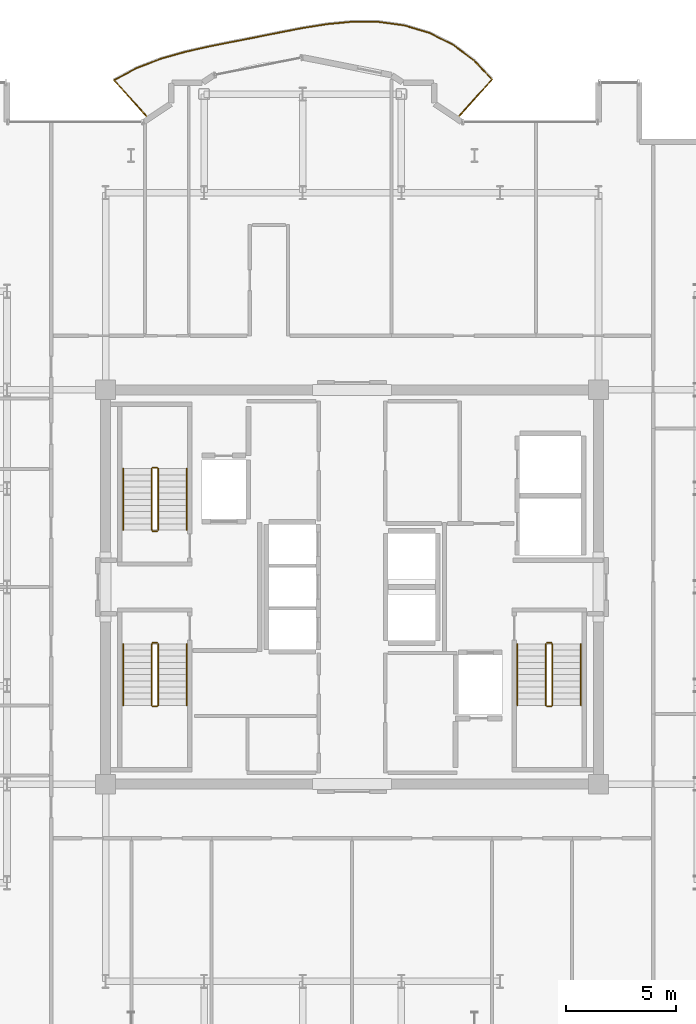
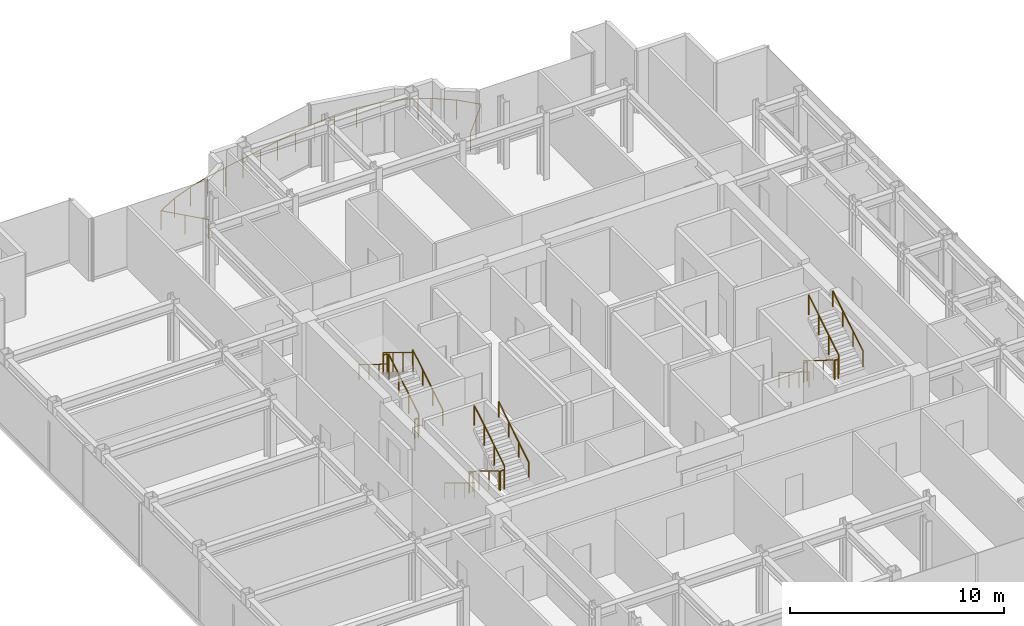
# One storey, part 18 of 18: 19 railings.
"""IFC4 building model written with IfcOpenShell, lengths in metres."""

from ifc_helpers import new_model, si_unit, direction, frame, origin, origin_2d, place, context, subcontext, project, spatial, circle, extrude, material, type_object, element, save


model = new_model("IFC4")

# Units and contexts
model_context = context("Model", 3, precision=1e-05, world=origin(), true_north=direction((0.0, 1.0)))
body_context = subcontext(model_context, "Body", "Model", "MODEL_VIEW")
ifc_project = project(units=[si_unit("LENGTHUNIT", "METRE"), si_unit("AREAUNIT", "SQUARE_METRE"), si_unit("VOLUMEUNIT", "CUBIC_METRE"), si_unit("PLANEANGLEUNIT", "RADIAN"), si_unit("MASSUNIT", "GRAM", prefix="KILO")], contexts=[model_context])

# Site, building, storey
site_placement = place(None, origin())
site = spatial("IfcSite", under=ifc_project, at=site_placement, CompositionType="ELEMENT")
building_placement = place(site_placement, origin())
building = spatial("IfcBuilding", under=site, at=building_placement, Name="Nefas-Gora Pilgrimage Tower", CompositionType="ELEMENT")
storey_placement = place(building_placement, frame((0.0, 0.0, 302.60009765625)))
storey = spatial("IfcBuildingStorey", under=building, at=storey_placement, Name="L76", CompositionType="ELEMENT", Elevation=302.60009765625)

# Railings
ifc_material_1 = material(Name="Laminated safety glass and stainless steel", Category="steel")
railing_type_1 = type_object("IfcRailingType", Name="RLG-BAL-1100", PredefinedType="BALUSTRADE", material=ifc_material_1)
railing_1_placement = place(storey_placement, frame((4.802490234375, 21.402587890625, 0.0)))
element("IfcRailing", 1, at=railing_1_placement, inside=storey, type_object=railing_type_1, Name="L76 Wave Balcony Balustrade N1", PredefinedType="BALUSTRADE", context=body_context, shape_type="SweptSolid", body=[
    extrude(circle(Radius=0.02392578125, at=origin_2d()), frame((0.0, 0.0, 1.09619140625), z_axis=(0.669135077133, 0.74314079995, 0.0), x_axis=(-0.74314079995, 0.669135077133, 0.0)), (0.0, 0.0, 1.0), 2.375244140625),
    extrude(circle(Radius=0.02392578125, at=origin_2d()), frame((1.58935546875, 1.76513671875, 1.09619140625), z_axis=(-0.68750179514, 0.726182677898, 0.0), x_axis=(-0.726182677898, -0.68750179514, 0.0)), (0.0, 0.0, 1.0), 1.19921875),
    extrude(circle(Radius=0.02392578125, at=origin_2d()), frame((0.764892578125, 2.635986328125, 1.09619140625), z_axis=(-0.801437477804, 0.59807856438, 0.0), x_axis=(-0.59807856438, -0.801437477804, 0.0)), (0.0, 0.0, 1.0), 1.200439453125),
    extrude(circle(Radius=0.02392578125, at=origin_2d()), frame((-0.197265625, 3.35400390625, 1.09619140625), z_axis=(-0.89467105907, 0.44672552654, 0.0), x_axis=(-0.44672552654, -0.89467105907, 0.0)), (0.0, 0.0, 1.0), 1.20068359375),
    extrude(circle(Radius=0.02392578125, at=origin_2d()), frame((-1.271484375, 3.890380859375, 1.09619140625), z_axis=(-0.958038938913, 0.286638084571, 0.0), x_axis=(-0.286638084571, -0.958038938913, 0.0)), (0.0, 0.0, 1.0), 1.19921875),
    extrude(circle(Radius=0.02392578125, at=origin_2d()), frame((-2.42041015625, 4.234130859375, 1.09619140625), z_axis=(-0.990887292095, 0.134693631496, 0.0), x_axis=(-0.134693631496, -0.990887292095, 0.0)), (0.0, 0.0, 1.0), 1.194580078125),
    extrude(circle(Radius=0.02392578125, at=origin_2d()), frame((-3.60400390625, 4.39501953125, 1.09619140625), z_axis=(-0.999987695818, 0.004960666536, 0.0), x_axis=(-0.004960666536, -0.999987695818, 0.0)), (0.0, 0.0, 1.0), 1.18115234375),
    extrude(circle(Radius=0.02392578125, at=origin_2d()), frame((-4.78515625, 4.40087890625, 1.09619140625), z_axis=(-0.995572807418, -0.093993537703, 0.0), x_axis=(0.093993537703, -0.995572807418, 0.0)), (0.0, 0.0, 1.0), 1.158447265625),
    extrude(circle(Radius=0.02392578125, at=origin_2d()), frame((-5.9384765625, 4.2919921875, 1.09619140625), z_axis=(-0.98740955461, -0.15818461197, 0.0), x_axis=(0.15818461197, -0.98740955461, 0.0)), (0.0, 0.0, 1.0), 1.128173828125),
    extrude(circle(Radius=0.02392578125, at=origin_2d()), frame((-7.052490234375, 4.113525390625, 1.09619140625), z_axis=(-0.981742387209, -0.190215365199, 0.0), x_axis=(0.190215365199, -0.981742387209, 0.0)), (0.0, 0.0, 1.0), 1.0986328125),
    extrude(circle(Radius=0.02392578125, at=origin_2d()), frame((-8.131103515625, 3.904541015625, 1.09619140625), z_axis=(-0.980414901531, -0.196943191949, 0.0), x_axis=(0.196943191949, -0.980414901531, 0.0)), (0.0, 0.0, 1.0), 1.07861328125),
    extrude(circle(Radius=0.02392578125, at=origin_2d()), frame((-9.1884765625, 3.692138671875, 1.09619140625), z_axis=(-0.981315429712, -0.192405892346, 0.0), x_axis=(0.192405892346, -0.981315429712, 0.0)), (0.0, 0.0, 1.0), 1.075927734375),
    extrude(circle(Radius=0.02392578125, at=origin_2d()), frame((-10.244384765625, 3.485107421875, 1.09619140625), z_axis=(-0.980846406589, -0.194782767929, 0.0), x_axis=(0.194782767929, -0.980846406589, 0.0)), (0.0, 0.0, 1.0), 1.091796875),
    extrude(circle(Radius=0.02392578125, at=origin_2d()), frame((-11.315185546875, 3.2724609375, 1.09619140625), z_axis=(-0.975857703496, -0.218407285884, 0.0), x_axis=(0.218407285884, -0.975857703496, 0.0)), (0.0, 0.0, 1.0), 1.1201171875),
    extrude(circle(Radius=0.02392578125, at=origin_2d()), frame((-12.408203125, 3.02783203125, 1.09619140625), z_axis=(-0.962066425729, -0.272815308377, 0.0), x_axis=(0.272815308377, -0.962066425729, 0.0)), (0.0, 0.0, 1.0), 1.15087890625),
    extrude(circle(Radius=0.02392578125, at=origin_2d()), frame((-13.515380859375, 2.7138671875, 1.09619140625), z_axis=(-0.933666294474, -0.358144175665, 0.0), x_axis=(0.358144175665, -0.933666294474, 0.0)), (0.0, 0.0, 1.0), 1.17578125),
    extrude(circle(Radius=0.02392578125, at=origin_2d()), frame((-14.61328125, 2.292724609375, 1.09619140625), z_axis=(-0.883049407943, -0.469280026351, 0.0), x_axis=(0.469280026351, -0.883049407943, 0.0)), (0.0, 0.0, 1.0), 1.19189453125),
    extrude(circle(Radius=0.02392578125, at=origin_2d()), frame((-15.665771484375, 1.7333984375, 1.09619140625), z_axis=(0.669138195153, -0.743137992427, 0.0), x_axis=(0.743137992427, 0.669138195153, 0.0)), (0.0, 0.0, 1.0), 2.33251953125),
    extrude(circle(Radius=0.02099609375, at=origin_2d()), origin(), (0.0, 0.0, 1.0), 1.072021484375),
    extrude(circle(Radius=0.02099609375, at=origin_2d()), frame((0.794677734375, 0.882568359375, 0.0)), (0.0, 0.0, 1.0), 1.072021484375),
    extrude(circle(Radius=0.02099609375, at=origin_2d()), frame((1.58935546875, 1.76513671875, 0.0)), (0.0, 0.0, 1.0), 1.072021484375),
    extrude(circle(Radius=0.02099609375, at=origin_2d()), frame((0.764892578125, 2.635986328125, 0.0)), (0.0, 0.0, 1.0), 1.072021484375),
    extrude(circle(Radius=0.02099609375, at=origin_2d()), frame((0.28369140625, 2.9951171875, 0.0)), (0.0, 0.0, 1.0), 1.072021484375),
    extrude(circle(Radius=0.02099609375, at=origin_2d()), frame((-0.197265625, 3.35400390625, 0.0)), (0.0, 0.0, 1.0), 1.072021484375),
    extrude(circle(Radius=0.02099609375, at=origin_2d()), frame((-0.734375, 3.6220703125, 0.0)), (0.0, 0.0, 1.0), 1.072021484375),
    extrude(circle(Radius=0.02099609375, at=origin_2d()), frame((-1.271484375, 3.890380859375, 0.0)), (0.0, 0.0, 1.0), 1.072021484375),
    extrude(circle(Radius=0.02099609375, at=origin_2d()), frame((-2.42041015625, 4.234130859375, 0.0)), (0.0, 0.0, 1.0), 1.072021484375),
    extrude(circle(Radius=0.02099609375, at=origin_2d()), frame((-3.60400390625, 4.39501953125, 0.0)), (0.0, 0.0, 1.0), 1.072021484375),
    extrude(circle(Radius=0.02099609375, at=origin_2d()), frame((-4.78515625, 4.40087890625, 0.0)), (0.0, 0.0, 1.0), 1.072021484375),
    extrude(circle(Radius=0.02099609375, at=origin_2d()), frame((-5.9384765625, 4.2919921875, 0.0)), (0.0, 0.0, 1.0), 1.072021484375),
    extrude(circle(Radius=0.02099609375, at=origin_2d()), frame((-7.052490234375, 4.113525390625, 0.0)), (0.0, 0.0, 1.0), 1.072021484375),
    extrude(circle(Radius=0.02099609375, at=origin_2d()), frame((-8.131103515625, 3.904541015625, 0.0)), (0.0, 0.0, 1.0), 1.072021484375),
    extrude(circle(Radius=0.02099609375, at=origin_2d()), frame((-9.1884765625, 3.692138671875, 0.0)), (0.0, 0.0, 1.0), 1.072021484375),
    extrude(circle(Radius=0.02099609375, at=origin_2d()), frame((-10.244384765625, 3.485107421875, 0.0)), (0.0, 0.0, 1.0), 1.072021484375),
    extrude(circle(Radius=0.02099609375, at=origin_2d()), frame((-11.315185546875, 3.2724609375, 0.0)), (0.0, 0.0, 1.0), 1.072021484375),
    extrude(circle(Radius=0.02099609375, at=origin_2d()), frame((-12.408203125, 3.02783203125, 0.0)), (0.0, 0.0, 1.0), 1.072021484375),
    extrude(circle(Radius=0.02099609375, at=origin_2d()), frame((-13.515380859375, 2.7138671875, 0.0)), (0.0, 0.0, 1.0), 1.072021484375),
    extrude(circle(Radius=0.02099609375, at=origin_2d()), frame((-14.61328125, 2.292724609375, 0.0)), (0.0, 0.0, 1.0), 1.072021484375),
    extrude(circle(Radius=0.02099609375, at=origin_2d()), frame((-15.665771484375, 1.7333984375, 0.0)), (0.0, 0.0, 1.0), 1.072021484375),
    extrude(circle(Radius=0.02099609375, at=origin_2d()), frame((-14.88525390625, 0.86669921875, 0.0)), (0.0, 0.0, 1.0), 1.072021484375),
    extrude(circle(Radius=0.02099609375, at=origin_2d()), frame((-14.10498046875, 0.0, 0.0)), (0.0, 0.0, 1.0), 1.072021484375),
])
ifc_material_2 = material(Name="Painted galvanised steel", Category="steel")
railing_type_2 = type_object("IfcRailingType", Name="RLG-STR-GUARD-1100", PredefinedType="GUARDRAIL", material=ifc_material_2)
railing_2_placement = place(storey_placement, frame((-8.85009765625, 2.60009765625, 0.172607421875)))
element("IfcRailing", 2, at=railing_2_placement, inside=storey, type_object=railing_type_2, Name="L76 ST-01 stair guard 1", PredefinedType="GUARDRAIL", context=body_context, shape_type="SweptSolid", body=[
    extrude(circle(Radius=0.02392578125, at=origin_2d()), frame((0.0, 0.0, 1.09619140625), z_axis=(0.0, 0.851069175582, 0.525053576669), x_axis=(-1.0, 0.0, 0.0)), (0.0, 0.0, 1.0), 3.289794921875),
    extrude(circle(Radius=0.02099609375, at=origin_2d()), origin(), (0.0, 0.0, 1.0), 1.072021484375),
    extrude(circle(Radius=0.02099609375, at=origin_2d()), frame((0.0, 0.933349609375, 0.57568359375)), (0.0, 0.0, 1.0), 1.072021484375),
    extrude(circle(Radius=0.02099609375, at=origin_2d()), frame((0.0, 1.866455078125, 1.151611328125)), (0.0, 0.0, 1.0), 1.072021484375),
    extrude(circle(Radius=0.02099609375, at=origin_2d()), frame((0.0, 2.7998046875, 1.727294921875)), (0.0, 0.0, 1.0), 1.072021484375),
])
railing_3_placement = place(storey_placement, frame((-8.89990234375, 5.449951171875, 1.89990234375)))
element("IfcRailing", 3, at=railing_3_placement, inside=storey, type_object=railing_type_2, Name="L76 ST-01 stair guard 2", PredefinedType="GUARDRAIL", context=body_context, shape_type="SweptSolid", body=[
    extrude(circle(Radius=0.02392578125, at=origin_2d()), frame((0.0, 0.0, 1.09619140625), z_axis=(-1.0, 0.0, 0.0), x_axis=(0.0, -1.0, 0.0)), (0.0, 0.0, 1.0), 0.2001953125),
    extrude(circle(Radius=0.02099609375, at=origin_2d()), origin(), (0.0, 0.0, 1.0), 1.072021484375),
    extrude(circle(Radius=0.02099609375, at=origin_2d()), frame((-0.2001953125, 0.0, 0.0)), (0.0, 0.0, 1.0), 1.072021484375),
])
railing_4_placement = place(storey_placement, frame((-9.14990234375, 5.39990234375, 2.072509765625)))
element("IfcRailing", 4, at=railing_4_placement, inside=storey, type_object=railing_type_2, Name="L76 ST-01 stair guard 3", PredefinedType="GUARDRAIL", context=body_context, shape_type="SweptSolid", body=[
    extrude(circle(Radius=0.02392578125, at=origin_2d()), frame((0.0, 0.0, 1.09619140625), z_axis=(0.0, -0.851069175582, 0.525053576669), x_axis=(1.0, 0.0, 0.0)), (0.0, 0.0, 1.0), 3.289794921875),
    extrude(circle(Radius=0.02099609375, at=origin_2d()), origin(), (0.0, 0.0, 1.0), 1.072021484375),
    extrude(circle(Radius=0.02099609375, at=origin_2d()), frame((0.0, -0.933349609375, 0.57568359375)), (0.0, 0.0, 1.0), 1.072021484375),
    extrude(circle(Radius=0.02099609375, at=origin_2d()), frame((0.0, -1.866455078125, 1.151611328125)), (0.0, 0.0, 1.0), 1.072021484375),
    extrude(circle(Radius=0.02099609375, at=origin_2d()), frame((0.0, -2.7998046875, 1.727294921875)), (0.0, 0.0, 1.0), 1.072021484375),
])
railing_5_placement = place(storey_placement, frame((-8.89990234375, 2.550048828125, 0.0)))
element("IfcRailing", 5, at=railing_5_placement, inside=storey, type_object=railing_type_2, Name="L76 ST-01 stair guard 4", PredefinedType="GUARDRAIL", context=body_context, shape_type="SweptSolid", body=[
    extrude(circle(Radius=0.02392578125, at=origin_2d()), frame((0.0, 0.0, 1.09619140625), z_axis=(-1.0, 0.0, 0.0), x_axis=(0.0, -1.0, 0.0)), (0.0, 0.0, 1.0), 0.2001953125),
    extrude(circle(Radius=0.02099609375, at=origin_2d()), origin(), (0.0, 0.0, 1.0), 1.072021484375),
    extrude(circle(Radius=0.02099609375, at=origin_2d()), frame((-0.2001953125, 0.0, 0.0)), (0.0, 0.0, 1.0), 1.072021484375),
])
railing_6_placement = place(storey_placement, frame((8.85009765625, -2.60009765625, 0.172607421875)))
element("IfcRailing", 6, at=railing_6_placement, inside=storey, type_object=railing_type_2, Name="L76 ST-02 stair guard 1", PredefinedType="GUARDRAIL", context=body_context, shape_type="SweptSolid", body=[
    extrude(circle(Radius=0.02392578125, at=origin_2d()), frame((0.0, 0.0, 1.09619140625), z_axis=(0.0, -0.851069175582, 0.525053576669), x_axis=(1.0, 0.0, 0.0)), (0.0, 0.0, 1.0), 3.289794921875),
    extrude(circle(Radius=0.02099609375, at=origin_2d()), origin(), (0.0, 0.0, 1.0), 1.072021484375),
    extrude(circle(Radius=0.02099609375, at=origin_2d()), frame((0.0, -0.933349609375, 0.57568359375)), (0.0, 0.0, 1.0), 1.072021484375),
    extrude(circle(Radius=0.02099609375, at=origin_2d()), frame((0.0, -1.866455078125, 1.151611328125)), (0.0, 0.0, 1.0), 1.072021484375),
    extrude(circle(Radius=0.02099609375, at=origin_2d()), frame((0.0, -2.7998046875, 1.727294921875)), (0.0, 0.0, 1.0), 1.072021484375),
])
railing_7_placement = place(storey_placement, frame((8.89990234375, -5.449951171875, 1.89990234375)))
element("IfcRailing", 7, at=railing_7_placement, inside=storey, type_object=railing_type_2, Name="L76 ST-02 stair guard 2", PredefinedType="GUARDRAIL", context=body_context, shape_type="SweptSolid", body=[
    extrude(circle(Radius=0.02392578125, at=origin_2d()), frame((0.0, 0.0, 1.09619140625), z_axis=(1.0, 0.0, 0.0), x_axis=(0.0, 1.0, 0.0)), (0.0, 0.0, 1.0), 0.2001953125),
    extrude(circle(Radius=0.02099609375, at=origin_2d()), origin(), (0.0, 0.0, 1.0), 1.072021484375),
    extrude(circle(Radius=0.02099609375, at=origin_2d()), frame((0.2001953125, 0.0, 0.0)), (0.0, 0.0, 1.0), 1.072021484375),
])
railing_8_placement = place(storey_placement, frame((9.14990234375, -5.39990234375, 2.072509765625)))
element("IfcRailing", 8, at=railing_8_placement, inside=storey, type_object=railing_type_2, Name="L76 ST-02 stair guard 3", PredefinedType="GUARDRAIL", context=body_context, shape_type="SweptSolid", body=[
    extrude(circle(Radius=0.02392578125, at=origin_2d()), frame((0.0, 0.0, 1.09619140625), z_axis=(0.0, 0.851069175582, 0.525053576669), x_axis=(-1.0, 0.0, 0.0)), (0.0, 0.0, 1.0), 3.289794921875),
    extrude(circle(Radius=0.02099609375, at=origin_2d()), origin(), (0.0, 0.0, 1.0), 1.072021484375),
    extrude(circle(Radius=0.02099609375, at=origin_2d()), frame((0.0, 0.933349609375, 0.57568359375)), (0.0, 0.0, 1.0), 1.072021484375),
    extrude(circle(Radius=0.02099609375, at=origin_2d()), frame((0.0, 1.866455078125, 1.151611328125)), (0.0, 0.0, 1.0), 1.072021484375),
    extrude(circle(Radius=0.02099609375, at=origin_2d()), frame((0.0, 2.7998046875, 1.727294921875)), (0.0, 0.0, 1.0), 1.072021484375),
])
railing_9_placement = place(storey_placement, frame((8.89990234375, -2.550048828125, 0.0)))
element("IfcRailing", 9, at=railing_9_placement, inside=storey, type_object=railing_type_2, Name="L76 ST-02 stair guard 4", PredefinedType="GUARDRAIL", context=body_context, shape_type="SweptSolid", body=[
    extrude(circle(Radius=0.02392578125, at=origin_2d()), frame((0.0, 0.0, 1.09619140625), z_axis=(1.0, 0.0, 0.0), x_axis=(0.0, 1.0, 0.0)), (0.0, 0.0, 1.0), 0.2001953125),
    extrude(circle(Radius=0.02099609375, at=origin_2d()), origin(), (0.0, 0.0, 1.0), 1.072021484375),
    extrude(circle(Radius=0.02099609375, at=origin_2d()), frame((0.2001953125, 0.0, 0.0)), (0.0, 0.0, 1.0), 1.072021484375),
])
railing_10_placement = place(storey_placement, frame((-9.14990234375, -2.60009765625, 0.172607421875)))
element("IfcRailing", 10, at=railing_10_placement, inside=storey, type_object=railing_type_2, Name="L76 ST-03 stair guard 1", PredefinedType="GUARDRAIL", context=body_context, shape_type="SweptSolid", body=[
    extrude(circle(Radius=0.02392578125, at=origin_2d()), frame((0.0, 0.0, 1.09619140625), z_axis=(0.0, -0.851069175582, 0.525053576669), x_axis=(1.0, 0.0, 0.0)), (0.0, 0.0, 1.0), 3.289794921875),
    extrude(circle(Radius=0.02099609375, at=origin_2d()), origin(), (0.0, 0.0, 1.0), 1.072021484375),
    extrude(circle(Radius=0.02099609375, at=origin_2d()), frame((0.0, -0.933349609375, 0.57568359375)), (0.0, 0.0, 1.0), 1.072021484375),
    extrude(circle(Radius=0.02099609375, at=origin_2d()), frame((0.0, -1.866455078125, 1.151611328125)), (0.0, 0.0, 1.0), 1.072021484375),
    extrude(circle(Radius=0.02099609375, at=origin_2d()), frame((0.0, -2.7998046875, 1.727294921875)), (0.0, 0.0, 1.0), 1.072021484375),
])
railing_11_placement = place(storey_placement, frame((-9.10009765625, -5.449951171875, 1.89990234375)))
element("IfcRailing", 11, at=railing_11_placement, inside=storey, type_object=railing_type_2, Name="L76 ST-03 stair guard 2", PredefinedType="GUARDRAIL", context=body_context, shape_type="SweptSolid", body=[
    extrude(circle(Radius=0.02392578125, at=origin_2d()), frame((0.0, 0.0, 1.09619140625), z_axis=(1.0, 0.0, 0.0), x_axis=(0.0, 1.0, 0.0)), (0.0, 0.0, 1.0), 0.2001953125),
    extrude(circle(Radius=0.02099609375, at=origin_2d()), origin(), (0.0, 0.0, 1.0), 1.072021484375),
    extrude(circle(Radius=0.02099609375, at=origin_2d()), frame((0.2001953125, 0.0, 0.0)), (0.0, 0.0, 1.0), 1.072021484375),
])
railing_12_placement = place(storey_placement, frame((-8.85009765625, -5.39990234375, 2.072509765625)))
element("IfcRailing", 12, at=railing_12_placement, inside=storey, type_object=railing_type_2, Name="L76 ST-03 stair guard 3", PredefinedType="GUARDRAIL", context=body_context, shape_type="SweptSolid", body=[
    extrude(circle(Radius=0.02392578125, at=origin_2d()), frame((0.0, 0.0, 1.09619140625), z_axis=(0.0, 0.851069175582, 0.525053576669), x_axis=(-1.0, 0.0, 0.0)), (0.0, 0.0, 1.0), 3.289794921875),
    extrude(circle(Radius=0.02099609375, at=origin_2d()), origin(), (0.0, 0.0, 1.0), 1.072021484375),
    extrude(circle(Radius=0.02099609375, at=origin_2d()), frame((0.0, 0.933349609375, 0.57568359375)), (0.0, 0.0, 1.0), 1.072021484375),
    extrude(circle(Radius=0.02099609375, at=origin_2d()), frame((0.0, 1.866455078125, 1.151611328125)), (0.0, 0.0, 1.0), 1.072021484375),
    extrude(circle(Radius=0.02099609375, at=origin_2d()), frame((0.0, 2.7998046875, 1.727294921875)), (0.0, 0.0, 1.0), 1.072021484375),
])
railing_13_placement = place(storey_placement, frame((-9.10009765625, -2.550048828125, 0.0)))
element("IfcRailing", 13, at=railing_13_placement, inside=storey, type_object=railing_type_2, Name="L76 ST-03 stair guard 4", PredefinedType="GUARDRAIL", context=body_context, shape_type="SweptSolid", body=[
    extrude(circle(Radius=0.02392578125, at=origin_2d()), frame((0.0, 0.0, 1.09619140625), z_axis=(1.0, 0.0, 0.0), x_axis=(0.0, 1.0, 0.0)), (0.0, 0.0, 1.0), 0.2001953125),
    extrude(circle(Radius=0.02099609375, at=origin_2d()), origin(), (0.0, 0.0, 1.0), 1.072021484375),
    extrude(circle(Radius=0.02099609375, at=origin_2d()), frame((0.2001953125, 0.0, 0.0)), (0.0, 0.0, 1.0), 1.072021484375),
])
ifc_material_3 = material(Name="Brushed stainless steel", Category="steel")
railing_type_3 = type_object("IfcRailingType", Name="RLG-STR-HAND-900", PredefinedType="HANDRAIL", material=ifc_material_3)
railing_14_placement = place(storey_placement, frame((-7.550048828125, 2.60009765625, 0.172607421875)))
element("IfcRailing", 14, at=railing_14_placement, inside=storey, type_object=railing_type_3, Name="L76 ST-01 stair handrail 1", PredefinedType="HANDRAIL", context=body_context, shape_type="SweptSolid", body=[
    extrude(circle(Radius=0.02392578125, at=origin_2d()), frame((0.0, 0.0, 0.8759765625), z_axis=(0.0, 0.851069175582, 0.525053576669), x_axis=(-1.0, 0.0, 0.0)), (0.0, 0.0, 1.0), 3.289794921875),
    extrude(circle(Radius=0.02099609375, at=origin_2d()), origin(), (0.0, 0.0, 1.0), 0.851806640625),
    extrude(circle(Radius=0.02099609375, at=origin_2d()), frame((0.0, 0.933349609375, 0.57568359375)), (0.0, 0.0, 1.0), 0.851806640625),
    extrude(circle(Radius=0.02099609375, at=origin_2d()), frame((0.0, 1.866455078125, 1.151611328125)), (0.0, 0.0, 1.0), 0.851806640625),
    extrude(circle(Radius=0.02099609375, at=origin_2d()), frame((0.0, 2.7998046875, 1.727294921875)), (0.0, 0.0, 1.0), 0.851806640625),
])
for number, where, name in (
    (15, (-10.449951171875, 5.39990234375, 2.072509765625), "L76 ST-01 stair handrail 2"),
    (16, (7.550048828125, -2.60009765625, 0.172607421875), "L76 ST-02 stair handrail 1"),
):
    element("IfcRailing", number, at=place(storey_placement, frame(where)), inside=storey, type_object=railing_type_3, Name=name, PredefinedType="HANDRAIL", context=body_context, shape_type="SweptSolid", body=[
        extrude(circle(Radius=0.02392578125, at=origin_2d()), frame((0.0, 0.0, 0.8759765625), z_axis=(0.0, -0.851069175582, 0.525053576669), x_axis=(1.0, 0.0, 0.0)), (0.0, 0.0, 1.0), 3.289794921875),
        extrude(circle(Radius=0.02099609375, at=origin_2d()), origin(), (0.0, 0.0, 1.0), 0.851806640625),
        extrude(circle(Radius=0.02099609375, at=origin_2d()), frame((0.0, -0.933349609375, 0.57568359375)), (0.0, 0.0, 1.0), 0.851806640625),
        extrude(circle(Radius=0.02099609375, at=origin_2d()), frame((0.0, -1.866455078125, 1.151611328125)), (0.0, 0.0, 1.0), 0.851806640625),
        extrude(circle(Radius=0.02099609375, at=origin_2d()), frame((0.0, -2.7998046875, 1.727294921875)), (0.0, 0.0, 1.0), 0.851806640625),
    ])
railing_15_placement = place(storey_placement, frame((10.449951171875, -5.39990234375, 2.072509765625)))
element("IfcRailing", 17, at=railing_15_placement, inside=storey, type_object=railing_type_3, Name="L76 ST-02 stair handrail 2", PredefinedType="HANDRAIL", context=body_context, shape_type="SweptSolid", body=[
    extrude(circle(Radius=0.02392578125, at=origin_2d()), frame((0.0, 0.0, 0.8759765625), z_axis=(0.0, 0.851069175582, 0.525053576669), x_axis=(-1.0, 0.0, 0.0)), (0.0, 0.0, 1.0), 3.289794921875),
    extrude(circle(Radius=0.02099609375, at=origin_2d()), origin(), (0.0, 0.0, 1.0), 0.851806640625),
    extrude(circle(Radius=0.02099609375, at=origin_2d()), frame((0.0, 0.933349609375, 0.57568359375)), (0.0, 0.0, 1.0), 0.851806640625),
    extrude(circle(Radius=0.02099609375, at=origin_2d()), frame((0.0, 1.866455078125, 1.151611328125)), (0.0, 0.0, 1.0), 0.851806640625),
    extrude(circle(Radius=0.02099609375, at=origin_2d()), frame((0.0, 2.7998046875, 1.727294921875)), (0.0, 0.0, 1.0), 0.851806640625),
])
railing_16_placement = place(storey_placement, frame((-10.449951171875, -2.60009765625, 0.172607421875)))
element("IfcRailing", 18, at=railing_16_placement, inside=storey, type_object=railing_type_3, Name="L76 ST-03 stair handrail 1", PredefinedType="HANDRAIL", context=body_context, shape_type="SweptSolid", body=[
    extrude(circle(Radius=0.02392578125, at=origin_2d()), frame((0.0, 0.0, 0.8759765625), z_axis=(0.0, -0.851069175582, 0.525053576669), x_axis=(1.0, 0.0, 0.0)), (0.0, 0.0, 1.0), 3.289794921875),
    extrude(circle(Radius=0.02099609375, at=origin_2d()), origin(), (0.0, 0.0, 1.0), 0.851806640625),
    extrude(circle(Radius=0.02099609375, at=origin_2d()), frame((0.0, -0.933349609375, 0.57568359375)), (0.0, 0.0, 1.0), 0.851806640625),
    extrude(circle(Radius=0.02099609375, at=origin_2d()), frame((0.0, -1.866455078125, 1.151611328125)), (0.0, 0.0, 1.0), 0.851806640625),
    extrude(circle(Radius=0.02099609375, at=origin_2d()), frame((0.0, -2.7998046875, 1.727294921875)), (0.0, 0.0, 1.0), 0.851806640625),
])
railing_17_placement = place(storey_placement, frame((-7.550048828125, -5.39990234375, 2.072509765625)))
element("IfcRailing", 19, at=railing_17_placement, inside=storey, type_object=railing_type_3, Name="L76 ST-03 stair handrail 2", PredefinedType="HANDRAIL", context=body_context, shape_type="SweptSolid", body=[
    extrude(circle(Radius=0.02392578125, at=origin_2d()), frame((0.0, 0.0, 0.8759765625), z_axis=(0.0, 0.851069175582, 0.525053576669), x_axis=(-1.0, 0.0, 0.0)), (0.0, 0.0, 1.0), 3.289794921875),
    extrude(circle(Radius=0.02099609375, at=origin_2d()), origin(), (0.0, 0.0, 1.0), 0.851806640625),
    extrude(circle(Radius=0.02099609375, at=origin_2d()), frame((0.0, 0.933349609375, 0.57568359375)), (0.0, 0.0, 1.0), 0.851806640625),
    extrude(circle(Radius=0.02099609375, at=origin_2d()), frame((0.0, 1.866455078125, 1.151611328125)), (0.0, 0.0, 1.0), 0.851806640625),
    extrude(circle(Radius=0.02099609375, at=origin_2d()), frame((0.0, 2.7998046875, 1.727294921875)), (0.0, 0.0, 1.0), 0.851806640625),
])

save(model, "model.ifc")
